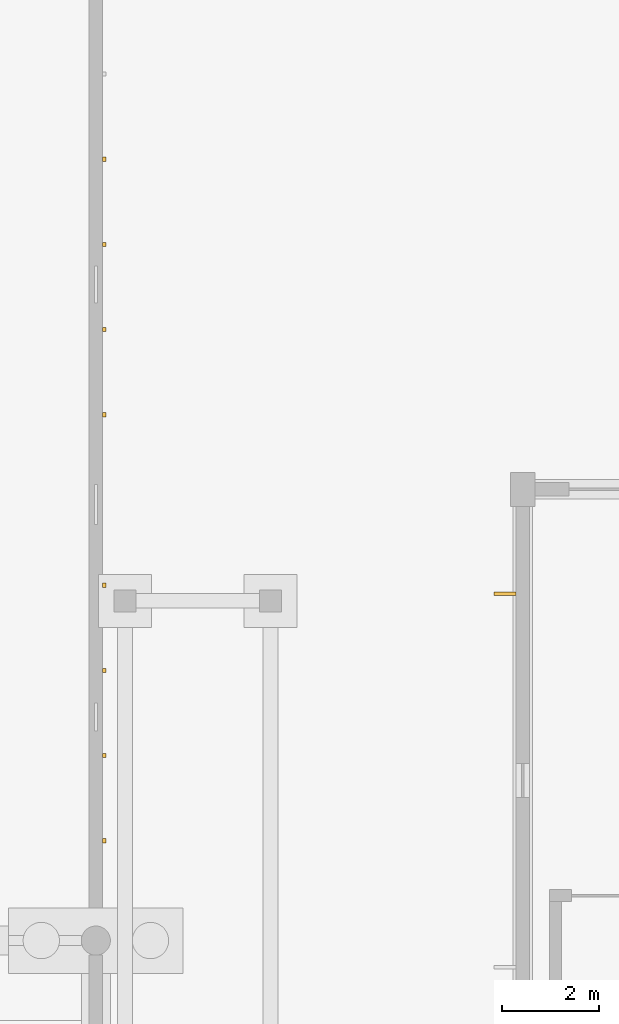
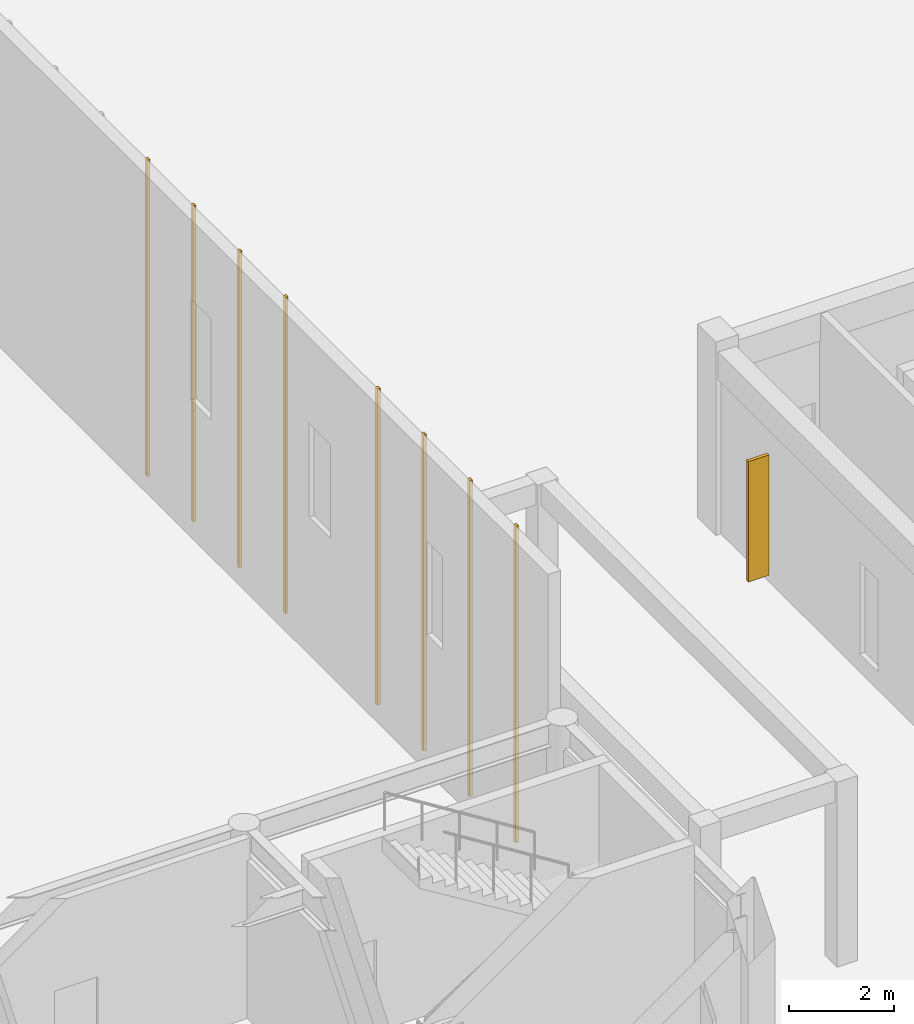
# One storey, part 137 of 154: 8 coverings, 1 shading device.
"""IFC4 building model written with IfcOpenShell, lengths in metres."""

import ifcopenshell
import ifcopenshell.guid

model = None  # the IFC model being written
_history = None  # IfcOwnerHistory: only IFC2X3 demands one
_inside = {}  # id of a spatial element -> (the spatial element, [elements in it])
_under = {}  # id of a project, library or spatial element -> (it, [spatial elements below it])
_declared = {}  # id of a project -> (the project, [libraries it declares])
_typed = {}  # id of a type object -> (the type object, [elements of that type])
_made_of = {}  # id of a material, layer set ... -> (it, [elements and type objects made of it])


def new_model(schema):
    """Start an empty IFC model of exactly this schema.

    Asked for "IFC4X3", IfcOpenShell would pick the latest addendum, in which some entities
    have other attributes; the version numbers below select the first issue.
    IFC2X3 requires an IfcOwnerHistory on every rooted entity: one is made here for all.
    """
    global model, _history
    if schema == "IFC4X3":
        model = ifcopenshell.file(schema_version=(4, 3, 0, 0))
    else:
        model = ifcopenshell.file(schema=schema)
    _inside.clear()
    _under.clear()
    _declared.clear()
    _typed.clear()
    _made_of.clear()
    _history = None
    if model.schema == "IFC2X3":
        org = make("IfcOrganization", Name="unknown")
        user = make(
            "IfcPersonAndOrganization",
            ThePerson=make("IfcPerson", FamilyName="unknown"),
            TheOrganization=org,
        )
        app = make(
            "IfcApplication",
            ApplicationDeveloper=org,
            Version="unknown",
            ApplicationFullName="unknown",
            ApplicationIdentifier="unknown",
        )
        _history = make(
            "IfcOwnerHistory",
            OwningUser=user,
            OwningApplication=app,
            ChangeAction="ADDED",
            CreationDate=0,
        )
    return model


def make(cls, **values):
    """One entity of the class cls with the attributes given. An attribute that is None is left unset."""
    return model.create_entity(
        cls, **{name: value for name, value in values.items() if value is not None}
    )


def rooted(cls, **values):
    """An entity with a GlobalId (a new one), such as an element, a storey or a relation."""
    return make(cls, GlobalId=ifcopenshell.guid.new(), OwnerHistory=_history, **values)


def si_unit(unit_type, name, prefix=None):
    """IfcSIUnit, for example si_unit("LENGTHUNIT", "METRE", prefix="MILLI")."""
    return make("IfcSIUnit", UnitType=unit_type, Prefix=prefix, Name=name)


def assignment(units):
    """IfcUnitAssignment: the units of a project."""
    return None if units is None else make("IfcUnitAssignment", Units=units)


def point(xyz):
    """IfcCartesianPoint."""
    return None if xyz is None else make("IfcCartesianPoint", Coordinates=xyz)


def direction(xyz):
    """IfcDirection."""
    return None if xyz is None else make("IfcDirection", DirectionRatios=xyz)


def frame(location, z_axis=None, x_axis=None):
    """IfcAxis2Placement3D, a coordinate frame: its origin and axes. An axis left out is left unset."""
    return make(
        "IfcAxis2Placement3D",
        Location=point(location),
        Axis=direction(z_axis),
        RefDirection=direction(x_axis),
    )


def frame_2d(location, x_axis=None):
    """IfcAxis2Placement2D, a coordinate frame in the plane: its origin and x axis."""
    return make(
        "IfcAxis2Placement2D", Location=point(location), RefDirection=direction(x_axis)
    )


def origin():
    """The frame at (0, 0, 0) with its axes left unset."""
    return frame((0.0, 0.0, 0.0))


def origin_2d():
    """The frame at (0, 0) in the plane with its x axis left unset."""
    return frame_2d((0.0, 0.0))


def place(relative_to, where):
    """IfcLocalPlacement: puts the frame where relative to a parent placement (None: the world)."""
    return make(
        "IfcLocalPlacement", PlacementRelTo=relative_to, RelativePlacement=where
    )


def context(
    kind, dimensions, precision=None, world=None, true_north=None, identifier=None
):
    """IfcGeometricRepresentationContext, for example the 3D "Model" context."""
    return make(
        "IfcGeometricRepresentationContext",
        ContextIdentifier=identifier,
        ContextType=kind,
        CoordinateSpaceDimension=dimensions,
        Precision=precision,
        WorldCoordinateSystem=world,
        TrueNorth=true_north,
    )


def subcontext(parent, identifier, kind, view, scale=None):
    """IfcGeometricRepresentationSubContext, for example "Body" below "Model"."""
    return make(
        "IfcGeometricRepresentationSubContext",
        ContextIdentifier=identifier,
        ContextType=kind,
        ParentContext=parent,
        TargetScale=scale,
        TargetView=view,
    )


def project(units=None, contexts=None):
    """IfcProject with its units and contexts."""
    return rooted(
        "IfcProject",
        Name="project",
        RepresentationContexts=contexts,
        UnitsInContext=assignment(units),
    )


def spatial(cls, under=None, at=None, **own):
    """A site, building, storey or space (cls), placed at a placement, below another one or the project."""
    s = rooted(cls, ObjectPlacement=at, **own)
    if under is not None:
        _under.setdefault(under.id(), (under, []))[1].append(s)
    return s


def profile(cls, at=None, kind="AREA", **sizes):
    """A parametric profile (cls). Its sizes go by their IFC names, for example OverallWidth=200.0."""
    return make(cls, ProfileType=kind, Position=at, **sizes)


def rectangle(**sizes):
    """IfcRectangleProfileDef."""
    return profile("IfcRectangleProfileDef", **sizes)


def extrude(swept, where, along, depth):
    """IfcExtrudedAreaSolid: the profile swept, set in the frame where, extruded along a direction by depth."""
    return make(
        "IfcExtrudedAreaSolid",
        SweptArea=swept,
        Position=where,
        ExtrudedDirection=direction(along),
        Depth=depth,
    )


def shape(context_of_items, identifier, shape_type, items):
    """IfcShapeRepresentation: the items that make up one representation, for example the "Body"."""
    return make(
        "IfcShapeRepresentation",
        ContextOfItems=context_of_items,
        RepresentationIdentifier=identifier,
        RepresentationType=shape_type,
        Items=items,
    )


def material(Name=None, Category=None):
    """IfcMaterial."""
    return make("IfcMaterial", Name=Name, Category=Category)


def layer(
    of_material, thickness, ventilated=None, Name=None, Category=None, Priority=None
):
    """IfcMaterialLayer: one layer of a wall or slab, of a material (None: an air gap)."""
    return make(
        "IfcMaterialLayer",
        Material=of_material,
        LayerThickness=thickness,
        IsVentilated=ventilated,
        Name=Name,
        Category=Category,
        Priority=Priority,
    )


def layer_set(layers, Name=None):
    """IfcMaterialLayerSet."""
    return make("IfcMaterialLayerSet", MaterialLayers=layers, LayerSetName=Name)


def made_of(thing, what):
    """Note that an element or type object is made of a material, layer set ...; save() writes the relation."""
    if what is not None:
        _made_of.setdefault(what.id(), (what, []))[1].append(thing)
    return thing


def type_object(cls, material=None, **own):
    """A type object (cls), such as IfcWallType, which elements share."""
    return made_of(rooted(cls, **own), material)


def element(
    cls,
    number,
    at=None,
    inside=None,
    cuts=None,
    type_object=None,
    material=None,
    context=None,
    identifier="Body",
    shape_type=None,
    held_by="IfcProductDefinitionShape",
    body=None,
    shapes=None,
    **own,
):
    """One element of the class cls, such as IfcWall. Its Tag is "e" and its number.

    at: its placement. inside: the storey or other place that contains it. cuts: it is an
    opening in that element (IfcRelVoidsElement). A single representation is given by context,
    identifier, shape_type and body (its items); several are given by shapes. held_by: the class
    of the entity that holds the representations. save() writes the other relations.
    """
    e = rooted(cls, Tag="e%d" % number, ObjectPlacement=at, **own)
    if body is not None:
        shapes = [shape(context, identifier, shape_type, body)]
    if shapes is not None:
        e.Representation = make(held_by, Representations=shapes)
    if inside is not None:
        _inside.setdefault(inside.id(), (inside, []))[1].append(e)
    if cuts is not None:
        rooted(
            "IfcRelVoidsElement", RelatingBuildingElement=cuts, RelatedOpeningElement=e
        )
    if type_object is not None:
        _typed.setdefault(type_object.id(), (type_object, []))[1].append(e)
    return made_of(e, material)


def aggregate(whole, parts):
    """IfcRelAggregates: a whole, such as a stair, and the parts it consists of."""
    return rooted("IfcRelAggregates", RelatingObject=whole, RelatedObjects=parts)


def save(model, path):
    """Write the relations noted so far, then the file.

    IfcRelAggregates (storeys below a building ...), IfcRelContainedInSpatialStructure (elements
    in a storey), IfcRelDefinesByType, IfcRelAssociatesMaterial and IfcRelDeclares: one each for
    every whole, place, type object, material and project.
    """
    for whole, parts in _under.values():
        aggregate(whole, parts)
    for where, things in _inside.values():
        rooted(
            "IfcRelContainedInSpatialStructure",
            RelatedElements=things,
            RelatingStructure=where,
        )
    for kind, things in _typed.values():
        rooted("IfcRelDefinesByType", RelatedObjects=things, RelatingType=kind)
    for what, things in _made_of.values():
        rooted("IfcRelAssociatesMaterial", RelatedObjects=things, RelatingMaterial=what)
    for by, libraries in _declared.values():
        rooted("IfcRelDeclares", RelatingContext=by, RelatedDefinitions=libraries)
    model.write(path)


model = new_model("IFC4")

# Units and contexts
model_context = context("Model", 3, precision=1e-05, world=origin(), true_north=direction((0.0, 1.0)))
body_context = subcontext(model_context, "Body", "Model", "MODEL_VIEW")
ifc_project = project(units=[si_unit("LENGTHUNIT", "METRE"), si_unit("AREAUNIT", "SQUARE_METRE"), si_unit("VOLUMEUNIT", "CUBIC_METRE"), si_unit("PLANEANGLEUNIT", "RADIAN"), si_unit("MASSUNIT", "GRAM", prefix="KILO")], contexts=[model_context])

# Site, building, storey
site_placement = place(None, origin())
site = spatial("IfcSite", under=ifc_project, at=site_placement, CompositionType="ELEMENT")
building_placement = place(site_placement, origin())
building = spatial("IfcBuilding", under=site, at=building_placement, Name="Kestramere Prow Commons", CompositionType="ELEMENT")
storey_placement = place(building_placement, origin())
storey = spatial("IfcBuildingStorey", under=building, at=storey_placement, Name="L00", CompositionType="ELEMENT", Elevation=0.0)

# Coverings
ifc_material_1 = material(Name="Weathered Zinc-Titanium Standing-Seam Cladding")
ifc_layer_1 = layer(ifc_material_1, 0.074951171875)
ifc_layer_set_1 = layer_set([ifc_layer_1], Name="Weathered Zinc-Titanium Standing-Seam Cladding")
covering_type = type_object("IfcCoveringType", Name="COV-CLAD-SEAM", PredefinedType="CLADDING", material=ifc_layer_set_1)
for number, where, z_axis, x_axis, name in (
    (1, (51.37255859375, 30.80615234375, 0.0), (0.0, 0.0, 1.0), (0.0, -1.0, 0.0), "EW-HL-L00-E Standing-Seam Rib 7"),
    (2, (51.37255859375, 29.050048828125, 0.0), (0.0, 0.0, 1.0), (0.0, -1.0, 0.0), "EW-HL-L00-E Standing-Seam Rib 8"),
    (3, (51.37255859375, 27.293701171875, 0.0), (0.0, 0.0, 1.0), (0.0, -1.0, 0.0), "EW-HL-L00-E Standing-Seam Rib 9"),
    (4, (51.37255859375, 25.53759765625, 0.0), (0.0, 0.0, 1.0), (0.0, -1.0, 0.0), "EW-HL-L00-E Standing-Seam Rib 10"),
    (5, (51.37255859375, 22.02490234375, 0.0), (0.0, 0.0, 1.0), (0.0, -1.0, 0.0), "EW-HL-L00-E Standing-Seam Rib 12"),
    (6, (51.37255859375, 20.268798828125, 0.0), (0.0, 0.0, 1.0), (0.0, -1.0, 0.0), "EW-HL-L00-E Standing-Seam Rib 13"),
    (7, (51.37255859375, 18.512451171875, 0.0), (0.0, 0.0, 1.0), (0.0, -1.0, 0.0), "EW-HL-L00-E Standing-Seam Rib 14"),
    (8, (51.37255859375, 16.75634765625, 0.0), (0.0, 0.0, 1.0), (0.0, -1.0, 0.0), "EW-HL-L00-E Standing-Seam Rib 15"),
):
    element("IfcCovering", number, at=place(storey_placement, frame(where, z_axis=z_axis, x_axis=x_axis)), inside=storey, type_object=covering_type, Name=name, PredefinedType="CLADDING", context=body_context, shape_type="SweptSolid", body=[
        extrude(rectangle(XDim=0.0849609375, YDim=0.06494140625, at=origin_2d()), origin(), (0.0, 0.0, 1.0), 7.360107421875),
    ])

# Shading device
ifc_material_2 = material(Name="Weathered Bronze-Anodised Aluminium", Category="aluminium")
ifc_layer_2 = layer(ifc_material_2, 0.074951171875)
ifc_layer_set_2 = layer_set([ifc_layer_2], Name="Weathered Bronze-Anodised Aluminium")
shading_device_type = type_object("IfcShadingDeviceType", Name="SHD-VFIN-450", PredefinedType="USERDEFINED", material=ifc_layer_set_2)
shading_device_placement = place(storey_placement, frame((59.635009765625, 21.85009765625, 0.14990234375), z_axis=(0.0, 0.0, 1.0), x_axis=(1.0, 0.0, 0.0)))
element("IfcShadingDevice", 9, at=shading_device_placement, inside=storey, type_object=shading_device_type, Name="Market L00 W Vertical Fin 2-2", ObjectType="VERTICAL FIN", PredefinedType="USERDEFINED", context=body_context, shape_type="SweptSolid", body=[
    extrude(rectangle(XDim=0.449951171875, YDim=0.074951171875, at=origin_2d()), origin(), (0.0, 0.0, 1.0), 2.800048828125),
])

save(model, "model.ifc")
